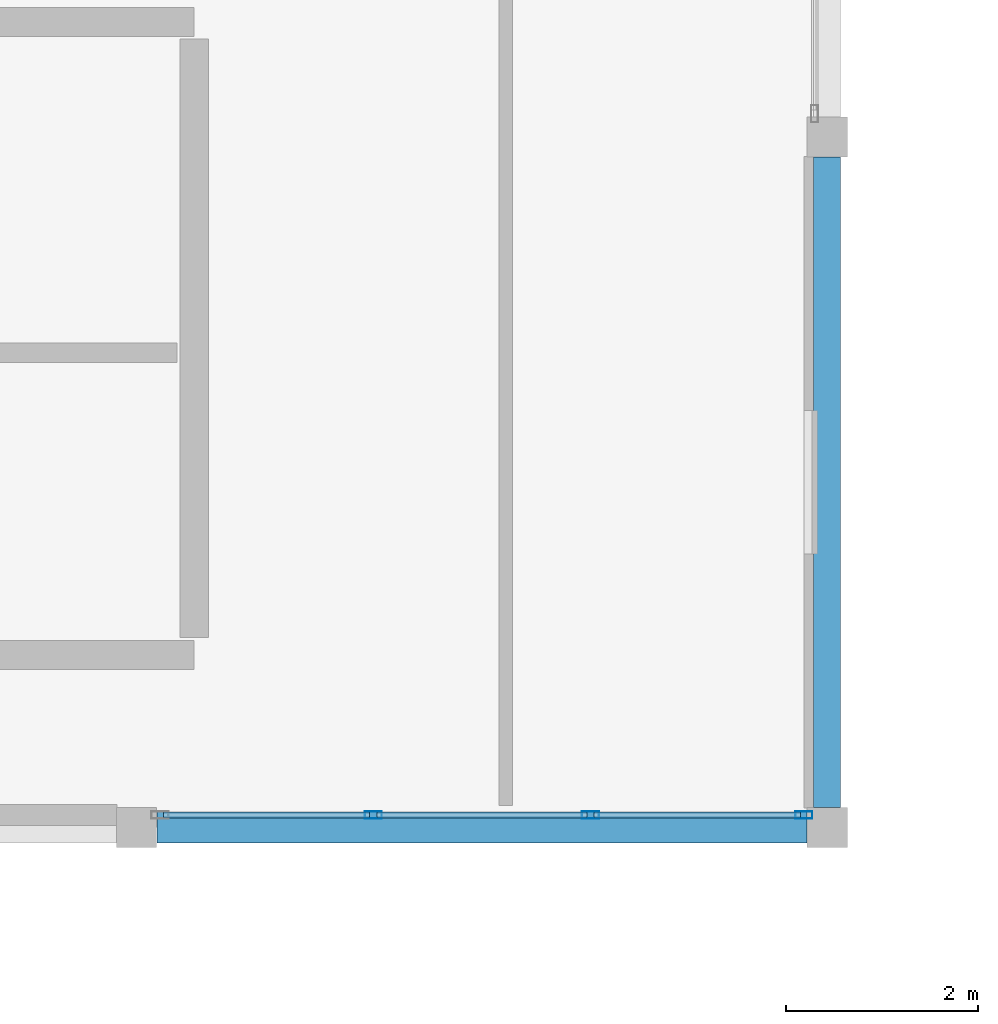
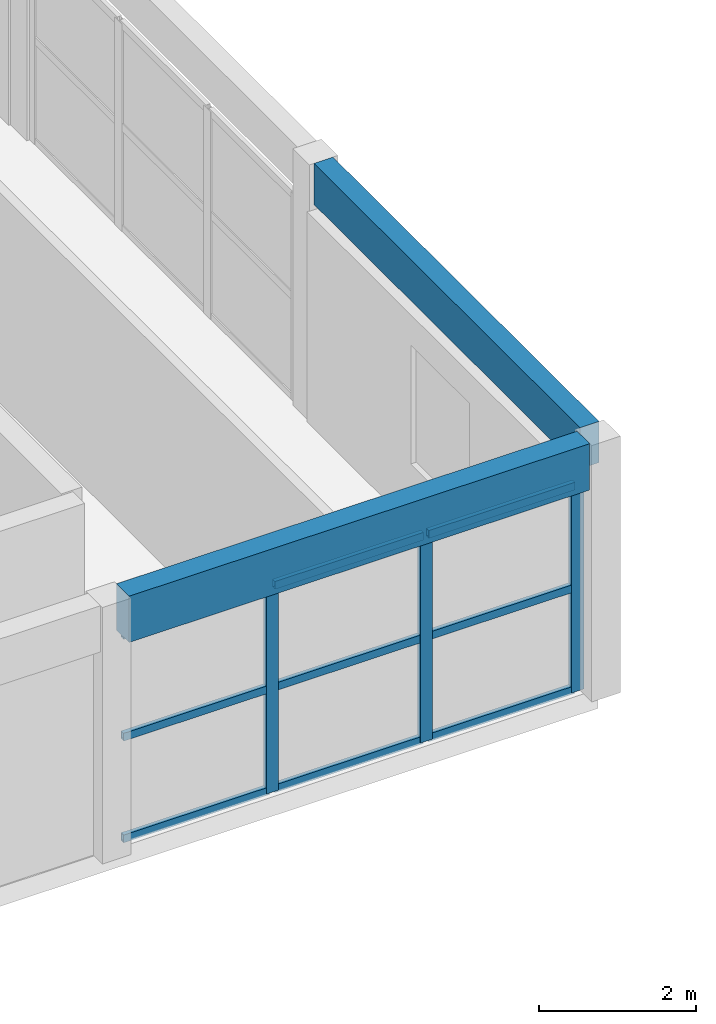
# One storey, part 7 of 68: 12 members, 2 beams, 1 element without a shape of its own.
"""IFC4 building model written with IfcOpenShell, lengths in metres."""

from ifc_helpers import new_model, si_unit, direction, frame, origin, origin_2d, place, context, subcontext, project, spatial, rectangle, hollow_rectangle, extrude, material, material_profile, profile_set, type_object, element, aggregate, save


model = new_model("IFC4")

# Units and contexts
model_context = context("Model", 3, precision=1e-05, world=origin(), true_north=direction((0.0, 1.0)))
body_context = subcontext(model_context, "Body", "Model", "MODEL_VIEW")
ifc_project = project(units=[si_unit("LENGTHUNIT", "METRE"), si_unit("AREAUNIT", "SQUARE_METRE"), si_unit("VOLUMEUNIT", "CUBIC_METRE"), si_unit("PLANEANGLEUNIT", "RADIAN"), si_unit("MASSUNIT", "GRAM", prefix="KILO")], contexts=[model_context])

# Site, building, storey
site_placement = place(None, origin())
site = spatial("IfcSite", under=ifc_project, at=site_placement, CompositionType="ELEMENT")
building_placement = place(site_placement, origin())
building = spatial("IfcBuilding", under=site, at=building_placement, Name="Bramvelor Terrace Health Centre", CompositionType="ELEMENT")
storey_placement = place(building_placement, frame((0.0, 0.0, 9.300048828125)))
storey = spatial("IfcBuildingStorey", under=building, at=storey_placement, Name="L03", CompositionType="ELEMENT", Elevation=9.300048828125)

# Beams
ifc_material_1 = material(Name="Glulam GL28h", Category="wood")
ifc_material_profile_1 = material_profile(ifc_material_1, rectangle(XDim=0.280029296875, YDim=0.639892578125, at=origin_2d()), Name="GL 280x640")
ifc_profile_set_1 = profile_set([ifc_material_profile_1], Name="Glulam GL28h")
beam_type_1 = type_object("IfcBeamType", Name="BM-GL-G640", PredefinedType="BEAM", material=ifc_profile_set_1)
beam_1_placement = place(storey_placement, frame((21.60009765625, 29.010009765625, 3.669921875), z_axis=(0.0, 1.0, 0.0), x_axis=(-1.0, 0.0, 0.0)))
element("IfcBeam", 1, at=beam_1_placement, inside=storey, type_object=beam_type_1, Name="L03 Floor Girder", PredefinedType="BEAM", context=body_context, shape_type="SweptSolid", body=[
    extrude(rectangle(XDim=0.280029296875, YDim=0.639892578125, at=origin_2d()), origin(), (0.0, 0.0, 1.0), 6.780029296875),
])
ifc_material_2 = material(Name="Glulam GL28h", Category="wood")
ifc_material_profile_2 = material_profile(ifc_material_2, rectangle(XDim=0.320068359375, YDim=0.719970703125, at=origin_2d()), Name="GL 320x720")
ifc_profile_set_2 = profile_set([ifc_material_profile_2], Name="Glulam GL28h")
beam_type_2 = type_object("IfcBeamType", Name="BM-GL-G720", PredefinedType="BEAM", material=ifc_profile_set_2)
beam_2_placement = place(storey_placement, frame((14.610107421875, 28.800048828125, 3.6298828125), z_axis=(1.0, 0.0, 0.0), x_axis=(0.0, 1.0, 0.0)))
element("IfcBeam", 2, at=beam_2_placement, inside=storey, type_object=beam_type_2, Name="L03 Floor Girder", PredefinedType="BEAM", context=body_context, shape_type="SweptSolid", body=[
    extrude(rectangle(XDim=0.320068359375, YDim=0.719970703125, at=origin_2d()), origin(), (0.0, 0.0, 1.0), 6.77978515625),
])

# Curtain wall, members
ifc_material_3 = material(Name="Anodized aluminium and double low-E glass", Category="aluminium")
curtain_wall_type = type_object("IfcCurtainWallType", Name="CW-SYS-27", PredefinedType="NOTDEFINED", material=ifc_material_3)
curtain_wall_placement = place(storey_placement, origin())
curtain_wall = element("IfcCurtainWall", 3, at=curtain_wall_placement, inside=storey, type_object=curtain_wall_type, Name="L03 Unitized Curtain Wall 156", PredefinedType="NOTDEFINED")
ifc_material_4 = material(Name="Anodized aluminium 6063-T6", Category="aluminium")
ifc_material_profile_3 = material_profile(ifc_material_4, hollow_rectangle(XDim=0.074951171875, YDim=0.179931640625, WallThickness=0.00341796875, at=origin_2d()), Name="ALU-MUL 75x180x3.5")
ifc_profile_set_3 = profile_set([ifc_material_profile_3], Name="Anodized aluminium 6063-T6")
member_type_1 = type_object("IfcMemberType", Name="CW-MUL-65x180", PredefinedType="MULLION", material=ifc_profile_set_3)
member_1_placement = place(storey_placement, frame((21.357421875, 28.929931640625, 0.0), z_axis=(0.0, 0.0, 1.0), x_axis=(0.0, -1.0, 0.0)))
member_1 = element("IfcMember", 4, at=member_1_placement, type_object=member_type_1, Name="CW-27 mullion 1", PredefinedType="MULLION", context=body_context, shape_type="SweptSolid", body=[
    extrude(hollow_rectangle(XDim=0.074951171875, YDim=0.179931640625, WallThickness=0.00341796875, at=origin_2d()), origin(), (0.0, 0.0, 1.0), 3.22998046875),
])
member_2_placement = place(storey_placement, frame((19.131591796875, 28.929931640625, 0.0), z_axis=(0.0, 0.0, 1.0), x_axis=(0.0, -1.0, 0.0)))
member_2 = element("IfcMember", 5, at=member_2_placement, type_object=member_type_1, Name="CW-27 mullion 2", PredefinedType="MULLION", context=body_context, shape_type="SweptSolid", body=[
    extrude(hollow_rectangle(XDim=0.074951171875, YDim=0.179931640625, WallThickness=0.00341796875, at=origin_2d()), origin(), (0.0, 0.0, 1.0), 3.22998046875),
])
member_3_placement = place(storey_placement, frame((16.868408203125, 28.929931640625, 0.0), z_axis=(0.0, 0.0, 1.0), x_axis=(0.0, -1.0, 0.0)))
member_3 = element("IfcMember", 6, at=member_3_placement, type_object=member_type_1, Name="CW-27 mullion 3", PredefinedType="MULLION", context=body_context, shape_type="SweptSolid", body=[
    extrude(hollow_rectangle(XDim=0.074951171875, YDim=0.179931640625, WallThickness=0.00341796875, at=origin_2d()), origin(), (0.0, 0.0, 1.0), 3.22998046875),
])
ifc_material_5 = material(Name="Anodized aluminium 6063-T6", Category="aluminium")
ifc_material_profile_4 = material_profile(ifc_material_5, hollow_rectangle(XDim=0.06494140625, YDim=0.1201171875, WallThickness=0.0029296875, at=origin_2d()), Name="ALU-TRN 65x120x3.0")
ifc_profile_set_4 = profile_set([ifc_material_profile_4], Name="Anodized aluminium 6063-T6")
member_type_2 = type_object("IfcMemberType", Name="CW-TRN-65x150", PredefinedType="USERDEFINED", material=ifc_profile_set_4)
member_4_placement = place(storey_placement, frame((21.320068359375, 28.929931640625, 0.032470703125), z_axis=(-1.0, 0.0, 0.0), x_axis=(0.0, -1.0, 0.0)))
member_4 = element("IfcMember", 7, at=member_4_placement, type_object=member_type_2, Name="CW-27 transom 1.1", ObjectType="TRANSOM", PredefinedType="USERDEFINED", context=body_context, shape_type="SweptSolid", body=[
    extrude(hollow_rectangle(XDim=0.06494140625, YDim=0.1201171875, WallThickness=0.0029296875, at=origin_2d()), origin(), (0.0, 0.0, 1.0), 2.15087890625),
])
member_5_placement = place(storey_placement, frame((21.320068359375, 28.929931640625, 1.614990234375), z_axis=(-1.0, 0.0, 0.0), x_axis=(0.0, -1.0, 0.0)))
member_5 = element("IfcMember", 8, at=member_5_placement, type_object=member_type_2, Name="CW-27 transom 1.2", ObjectType="TRANSOM", PredefinedType="USERDEFINED", context=body_context, shape_type="SweptSolid", body=[
    extrude(hollow_rectangle(XDim=0.06494140625, YDim=0.1201171875, WallThickness=0.0029296875, at=origin_2d()), origin(), (0.0, 0.0, 1.0), 2.15087890625),
])
member_6_placement = place(storey_placement, frame((21.320068359375, 28.929931640625, 3.197509765625), z_axis=(-1.0, 0.0, 0.0), x_axis=(0.0, -1.0, 0.0)))
member_6 = element("IfcMember", 9, at=member_6_placement, type_object=member_type_2, Name="CW-27 transom 1.3", ObjectType="TRANSOM", PredefinedType="USERDEFINED", context=body_context, shape_type="SweptSolid", body=[
    extrude(hollow_rectangle(XDim=0.06494140625, YDim=0.1201171875, WallThickness=0.0029296875, at=origin_2d()), origin(), (0.0, 0.0, 1.0), 2.15087890625),
])
member_7_placement = place(storey_placement, frame((19.09423828125, 28.929931640625, 0.032470703125), z_axis=(-1.0, 0.0, 0.0), x_axis=(0.0, -1.0, 0.0)))
member_7 = element("IfcMember", 10, at=member_7_placement, type_object=member_type_2, Name="CW-27 transom 2.1", ObjectType="TRANSOM", PredefinedType="USERDEFINED", context=body_context, shape_type="SweptSolid", body=[
    extrude(hollow_rectangle(XDim=0.06494140625, YDim=0.1201171875, WallThickness=0.0029296875, at=origin_2d()), origin(), (0.0, 0.0, 1.0), 2.1884765625),
])
member_8_placement = place(storey_placement, frame((19.09423828125, 28.929931640625, 1.614990234375), z_axis=(-1.0, 0.0, 0.0), x_axis=(0.0, -1.0, 0.0)))
member_8 = element("IfcMember", 11, at=member_8_placement, type_object=member_type_2, Name="CW-27 transom 2.2", ObjectType="TRANSOM", PredefinedType="USERDEFINED", context=body_context, shape_type="SweptSolid", body=[
    extrude(hollow_rectangle(XDim=0.06494140625, YDim=0.1201171875, WallThickness=0.0029296875, at=origin_2d()), origin(), (0.0, 0.0, 1.0), 2.1884765625),
])
member_9_placement = place(storey_placement, frame((19.09423828125, 28.929931640625, 3.197509765625), z_axis=(-1.0, 0.0, 0.0), x_axis=(0.0, -1.0, 0.0)))
member_9 = element("IfcMember", 12, at=member_9_placement, type_object=member_type_2, Name="CW-27 transom 2.3", ObjectType="TRANSOM", PredefinedType="USERDEFINED", context=body_context, shape_type="SweptSolid", body=[
    extrude(hollow_rectangle(XDim=0.06494140625, YDim=0.1201171875, WallThickness=0.0029296875, at=origin_2d()), origin(), (0.0, 0.0, 1.0), 2.1884765625),
])
member_10_placement = place(storey_placement, frame((16.830810546875, 28.929931640625, 0.032470703125), z_axis=(-1.0, 0.0, 0.0), x_axis=(0.0, -1.0, 0.0)))
member_10 = element("IfcMember", 13, at=member_10_placement, type_object=member_type_2, Name="CW-27 transom 3.1", ObjectType="TRANSOM", PredefinedType="USERDEFINED", context=body_context, shape_type="SweptSolid", body=[
    extrude(hollow_rectangle(XDim=0.06494140625, YDim=0.1201171875, WallThickness=0.0029296875, at=origin_2d()), origin(), (0.0, 0.0, 1.0), 2.15087890625),
])
member_11_placement = place(storey_placement, frame((16.830810546875, 28.929931640625, 1.614990234375), z_axis=(-1.0, 0.0, 0.0), x_axis=(0.0, -1.0, 0.0)))
member_11 = element("IfcMember", 14, at=member_11_placement, type_object=member_type_2, Name="CW-27 transom 3.2", ObjectType="TRANSOM", PredefinedType="USERDEFINED", context=body_context, shape_type="SweptSolid", body=[
    extrude(hollow_rectangle(XDim=0.06494140625, YDim=0.1201171875, WallThickness=0.0029296875, at=origin_2d()), origin(), (0.0, 0.0, 1.0), 2.15087890625),
])
member_12_placement = place(storey_placement, frame((16.830810546875, 28.929931640625, 3.197509765625), z_axis=(-1.0, 0.0, 0.0), x_axis=(0.0, -1.0, 0.0)))
member_12 = element("IfcMember", 15, at=member_12_placement, type_object=member_type_2, Name="CW-27 transom 3.3", ObjectType="TRANSOM", PredefinedType="USERDEFINED", context=body_context, shape_type="SweptSolid", body=[
    extrude(hollow_rectangle(XDim=0.06494140625, YDim=0.1201171875, WallThickness=0.0029296875, at=origin_2d()), origin(), (0.0, 0.0, 1.0), 2.15087890625),
])
aggregate(curtain_wall, [member_1, member_2, member_3, member_4, member_5, member_6, member_7, member_8, member_9, member_10, member_11, member_12])

save(model, "model.ifc")
